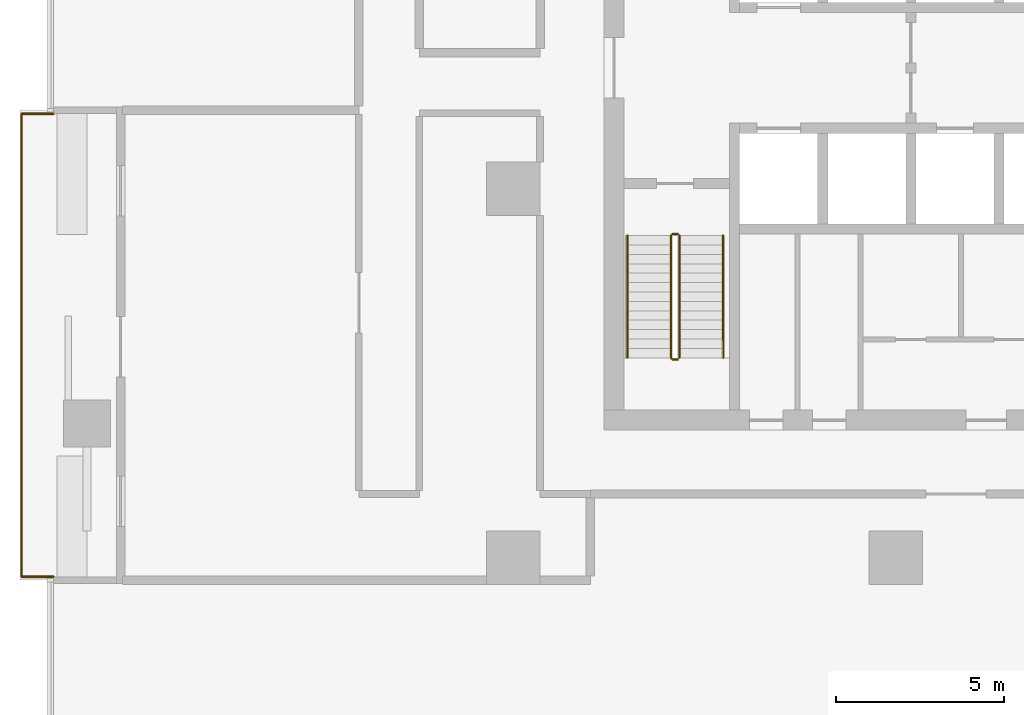
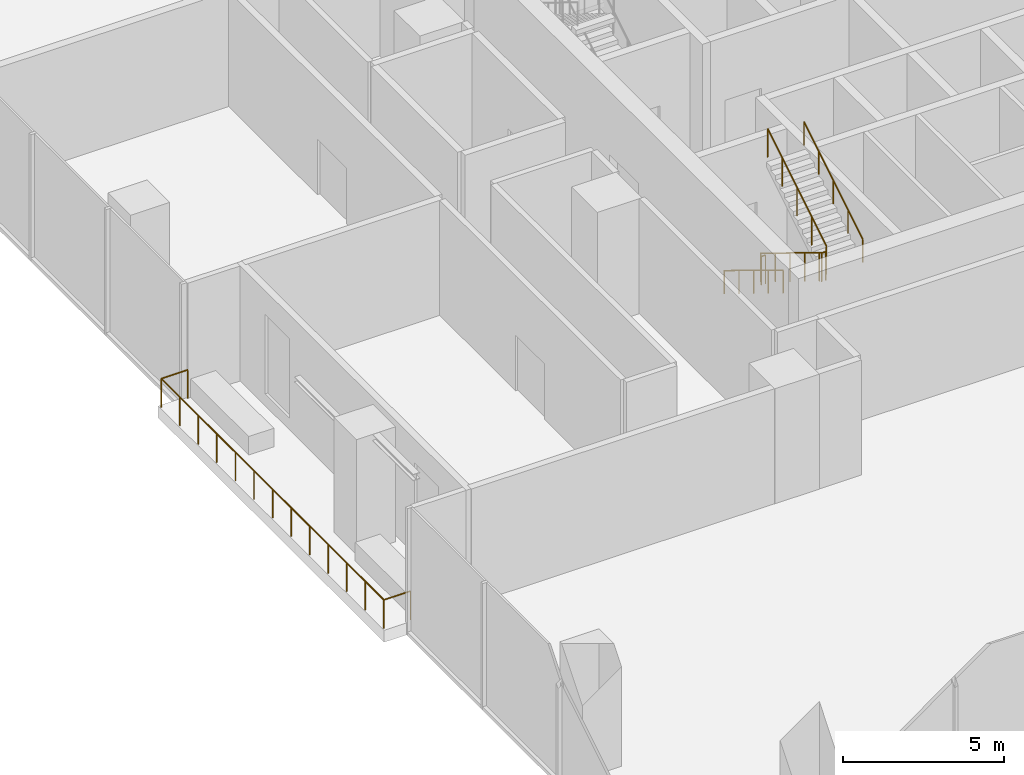
# One storey, part 12 of 14: 6 railings.
"""IFC4 building model written with IfcOpenShell, lengths in metres."""

from ifc_helpers import new_model, si_unit, direction, frame, origin, origin_2d, place, context, subcontext, project, spatial, circle, extrude, material, type_object, element, save


model = new_model("IFC4")

# Units and contexts
model_context = context("Model", 3, precision=1e-05, world=origin(), true_north=direction((0.0, 1.0)))
body_context = subcontext(model_context, "Body", "Model", "MODEL_VIEW")
ifc_project = project(units=[si_unit("LENGTHUNIT", "METRE"), si_unit("AREAUNIT", "SQUARE_METRE"), si_unit("VOLUMEUNIT", "CUBIC_METRE"), si_unit("PLANEANGLEUNIT", "RADIAN"), si_unit("MASSUNIT", "GRAM", prefix="KILO")], contexts=[model_context])

# Site, building, storey
site_placement = place(None, origin())
site = spatial("IfcSite", under=ifc_project, at=site_placement, CompositionType="ELEMENT")
building_placement = place(site_placement, origin())
building = spatial("IfcBuilding", under=site, at=building_placement, Name="Mopane Tessera Tower", CompositionType="ELEMENT")
storey_placement = place(building_placement, frame((0.0, 0.0, 40.60009765625)))
storey = spatial("IfcBuildingStorey", under=building, at=storey_placement, Name="L07", CompositionType="ELEMENT", Elevation=40.60009765625)

# Railings
ifc_material_1 = material(Name="Powder-coated steel balustrade", Category="steel")
railing_type_1 = type_object("IfcRailingType", Name="Escape stair guard 1100 mm", PredefinedType="GUARDRAIL", material=ifc_material_1)
railing_1_placement = place(storey_placement, frame((-12.39990234375, -1.39990234375, 0.17138671875)))
element("IfcRailing", 1, at=railing_1_placement, inside=storey, type_object=railing_type_1, Name="L07 ST1 stair guard 1", PredefinedType="GUARDRAIL", context=body_context, shape_type="SweptSolid", body=[
    extrude(circle(Radius=0.02392578125, at=origin_2d()), frame((0.0, 0.0, 1.076171875), z_axis=(0.0, -0.852865859571, 0.52213008492), x_axis=(1.0, 0.0, 0.0)), (0.0, 0.0, 1.0), 4.26806640625),
    extrude(circle(Radius=0.02392578125, at=origin_2d()), frame((0.0, -3.64013671875, 3.3046875), z_axis=(0.705375805398, -0.708833529934, 0.0), x_axis=(0.708833529934, 0.705375805398, 0.0)), (0.0, 0.0, 1.0), 0.070556640625),
    extrude(circle(Radius=0.02392578125, at=origin_2d()), frame((0.0498046875, -3.690185546875, 3.3046875), z_axis=(1.0, 0.0, 0.0), x_axis=(0.0, 1.0, 0.0)), (0.0, 0.0, 1.0), 0.150146484375),
    extrude(circle(Radius=0.02099609375, at=origin_2d()), origin(), (0.0, 0.0, 1.0), 1.052001953125),
    extrude(circle(Radius=0.02099609375, at=origin_2d()), frame((0.0, -0.91015625, 0.55712890625)), (0.0, 0.0, 1.0), 1.052001953125),
    extrude(circle(Radius=0.02099609375, at=origin_2d()), frame((0.0, -1.820068359375, 1.1142578125)), (0.0, 0.0, 1.0), 1.052001953125),
    extrude(circle(Radius=0.02099609375, at=origin_2d()), frame((0.0, -2.72998046875, 1.67138671875)), (0.0, 0.0, 1.0), 1.052001953125),
    extrude(circle(Radius=0.02099609375, at=origin_2d()), frame((0.0, -3.64013671875, 2.228515625)), (0.0, 0.0, 1.0), 1.052001953125),
    extrude(circle(Radius=0.02099609375, at=origin_2d()), frame((0.0498046875, -3.690185546875, 2.228515625)), (0.0, 0.0, 1.0), 1.052001953125),
    extrude(circle(Radius=0.02099609375, at=origin_2d()), frame((0.199951171875, -3.690185546875, 2.228515625)), (0.0, 0.0, 1.0), 1.052001953125),
])
railing_2_placement = place(storey_placement, frame((-12.14990234375, -5.0400390625, 2.5712890625)))
element("IfcRailing", 2, at=railing_2_placement, inside=storey, type_object=railing_type_1, Name="L07 ST1 stair guard 2", PredefinedType="GUARDRAIL", context=body_context, shape_type="SweptSolid", body=[
    extrude(circle(Radius=0.02392578125, at=origin_2d()), frame((0.0, 0.0, 1.076171875), z_axis=(0.0, 0.852865859571, 0.52213008492), x_axis=(-1.0, 0.0, 0.0)), (0.0, 0.0, 1.0), 4.26806640625),
    extrude(circle(Radius=0.02099609375, at=origin_2d()), origin(), (0.0, 0.0, 1.0), 1.052001953125),
    extrude(circle(Radius=0.02099609375, at=origin_2d()), frame((0.0, 0.91015625, 0.55712890625)), (0.0, 0.0, 1.0), 1.052001953125),
    extrude(circle(Radius=0.02099609375, at=origin_2d()), frame((0.0, 1.820068359375, 1.1142578125)), (0.0, 0.0, 1.0), 1.052001953125),
    extrude(circle(Radius=0.02099609375, at=origin_2d()), frame((0.0, 2.72998046875, 1.67138671875)), (0.0, 0.0, 1.0), 1.052001953125),
    extrude(circle(Radius=0.02099609375, at=origin_2d()), frame((0.0, 3.64013671875, 2.228515625)), (0.0, 0.0, 1.0), 1.052001953125),
])
railing_3_placement = place(storey_placement, frame((-12.35009765625, -1.35009765625, 0.0)))
element("IfcRailing", 3, at=railing_3_placement, inside=storey, type_object=railing_type_1, Name="L07 ST1 stair guard 3", PredefinedType="GUARDRAIL", context=body_context, shape_type="SweptSolid", body=[
    extrude(circle(Radius=0.02392578125, at=origin_2d()), frame((0.0, 0.0, 1.076171875), z_axis=(1.0, 0.0, 0.0), x_axis=(0.0, 1.0, 0.0)), (0.0, 0.0, 1.0), 0.150146484375),
    extrude(circle(Radius=0.02099609375, at=origin_2d()), origin(), (0.0, 0.0, 1.0), 1.052001953125),
    extrude(circle(Radius=0.02099609375, at=origin_2d()), frame((0.150146484375, 0.0, 0.0)), (0.0, 0.0, 1.0), 1.052001953125),
])
ifc_material_2 = material(Name="Powder-coated steel balustrade", Category="steel")
railing_type_2 = type_object("IfcRailingType", Name="Escape stair handrail 900 mm", PredefinedType="HANDRAIL", material=ifc_material_2)
railing_4_placement = place(storey_placement, frame((-13.699951171875, -1.39990234375, 0.17138671875)))
element("IfcRailing", 4, at=railing_4_placement, inside=storey, type_object=railing_type_2, Name="L07 ST1 stair handrail 1", PredefinedType="HANDRAIL", context=body_context, shape_type="SweptSolid", body=[
    extrude(circle(Radius=0.02392578125, at=origin_2d()), frame((0.0, 0.0, 0.8759765625), z_axis=(0.0, -0.852865859571, 0.52213008492), x_axis=(1.0, 0.0, 0.0)), (0.0, 0.0, 1.0), 4.26806640625),
    extrude(circle(Radius=0.02099609375, at=origin_2d()), origin(), (0.0, 0.0, 1.0), 0.851806640625),
    extrude(circle(Radius=0.02099609375, at=origin_2d()), frame((0.0, -0.91015625, 0.55712890625)), (0.0, 0.0, 1.0), 0.851806640625),
    extrude(circle(Radius=0.02099609375, at=origin_2d()), frame((0.0, -1.820068359375, 1.1142578125)), (0.0, 0.0, 1.0), 0.851806640625),
    extrude(circle(Radius=0.02099609375, at=origin_2d()), frame((0.0, -2.72998046875, 1.67138671875)), (0.0, 0.0, 1.0), 0.851806640625),
    extrude(circle(Radius=0.02099609375, at=origin_2d()), frame((0.0, -3.64013671875, 2.228515625)), (0.0, 0.0, 1.0), 0.851806640625),
])
railing_5_placement = place(storey_placement, frame((-10.85009765625, -5.0400390625, 2.5712890625)))
element("IfcRailing", 5, at=railing_5_placement, inside=storey, type_object=railing_type_2, Name="L07 ST1 stair handrail 2", PredefinedType="HANDRAIL", context=body_context, shape_type="SweptSolid", body=[
    extrude(circle(Radius=0.02392578125, at=origin_2d()), frame((0.0, 0.0, 0.8759765625), z_axis=(0.0, 0.852865859571, 0.52213008492), x_axis=(-1.0, 0.0, 0.0)), (0.0, 0.0, 1.0), 4.26806640625),
    extrude(circle(Radius=0.02099609375, at=origin_2d()), origin(), (0.0, 0.0, 1.0), 0.851806640625),
    extrude(circle(Radius=0.02099609375, at=origin_2d()), frame((0.0, 0.91015625, 0.55712890625)), (0.0, 0.0, 1.0), 0.851806640625),
    extrude(circle(Radius=0.02099609375, at=origin_2d()), frame((0.0, 1.820068359375, 1.1142578125)), (0.0, 0.0, 1.0), 0.851806640625),
    extrude(circle(Radius=0.02099609375, at=origin_2d()), frame((0.0, 2.72998046875, 1.67138671875)), (0.0, 0.0, 1.0), 0.851806640625),
    extrude(circle(Radius=0.02099609375, at=origin_2d()), frame((0.0, 3.64013671875, 2.228515625)), (0.0, 0.0, 1.0), 0.851806640625),
])
ifc_material_3 = material(Name="Stainless steel S316", Category="steel")
railing_type_3 = type_object("IfcRailingType", Name="Terrace guard 1100", PredefinedType="GUARDRAIL", material=ifc_material_3)
railing_6_placement = place(storey_placement, frame((-30.800048828125, 2.2333984375, 0.0)))
element("IfcRailing", 6, at=railing_6_placement, inside=storey, type_object=railing_type_3, Name="e:nw:L07:N3:guard", PredefinedType="GUARDRAIL", context=body_context, shape_type="SweptSolid", body=[
    extrude(circle(Radius=0.02392578125, at=origin_2d()), frame((0.0, 0.0, 1.076171875), z_axis=(-1.0, 0.0, 0.0), x_axis=(0.0, -1.0, 0.0)), (0.0, 0.0, 1.0), 0.949951171875),
    extrude(circle(Radius=0.02392578125, at=origin_2d()), frame((-0.949951171875, 0.0, 1.076171875), z_axis=(0.0, -1.0, 0.0), x_axis=(1.0, 0.0, 0.0)), (0.0, 0.0, 1.0), 13.800048828125),
    extrude(circle(Radius=0.02392578125, at=origin_2d()), frame((-0.949951171875, -13.800048828125, 1.076171875), z_axis=(1.0, 0.0, 0.0), x_axis=(0.0, 1.0, 0.0)), (0.0, 0.0, 1.0), 0.949951171875),
    extrude(circle(Radius=0.02099609375, at=origin_2d()), origin(), (0.0, 0.0, 1.0), 1.052001953125),
    extrude(circle(Radius=0.02099609375, at=origin_2d()), frame((-0.949951171875, 0.0, 0.0)), (0.0, 0.0, 1.0), 1.052001953125),
    extrude(circle(Radius=0.02099609375, at=origin_2d()), frame((-0.949951171875, -1.14990234375, 0.0)), (0.0, 0.0, 1.0), 1.052001953125),
    extrude(circle(Radius=0.02099609375, at=origin_2d()), frame((-0.949951171875, -2.300048828125, 0.0)), (0.0, 0.0, 1.0), 1.052001953125),
    extrude(circle(Radius=0.02099609375, at=origin_2d()), frame((-0.949951171875, -3.449951171875, 0.0)), (0.0, 0.0, 1.0), 1.052001953125),
    extrude(circle(Radius=0.02099609375, at=origin_2d()), frame((-0.949951171875, -4.60009765625, 0.0)), (0.0, 0.0, 1.0), 1.052001953125),
    extrude(circle(Radius=0.02099609375, at=origin_2d()), frame((-0.949951171875, -5.75, 0.0)), (0.0, 0.0, 1.0), 1.052001953125),
    extrude(circle(Radius=0.02099609375, at=origin_2d()), frame((-0.949951171875, -6.89990234375, 0.0)), (0.0, 0.0, 1.0), 1.052001953125),
    extrude(circle(Radius=0.02099609375, at=origin_2d()), frame((-0.949951171875, -8.050048828125, 0.0)), (0.0, 0.0, 1.0), 1.052001953125),
    extrude(circle(Radius=0.02099609375, at=origin_2d()), frame((-0.949951171875, -9.199951171875, 0.0)), (0.0, 0.0, 1.0), 1.052001953125),
    extrude(circle(Radius=0.02099609375, at=origin_2d()), frame((-0.949951171875, -10.35009765625, 0.0)), (0.0, 0.0, 1.0), 1.052001953125),
    extrude(circle(Radius=0.02099609375, at=origin_2d()), frame((-0.949951171875, -11.5, 0.0)), (0.0, 0.0, 1.0), 1.052001953125),
    extrude(circle(Radius=0.02099609375, at=origin_2d()), frame((-0.949951171875, -12.650146484375, 0.0)), (0.0, 0.0, 1.0), 1.052001953125),
    extrude(circle(Radius=0.02099609375, at=origin_2d()), frame((-0.949951171875, -13.800048828125, 0.0)), (0.0, 0.0, 1.0), 1.052001953125),
    extrude(circle(Radius=0.02099609375, at=origin_2d()), frame((0.0, -13.800048828125, 0.0)), (0.0, 0.0, 1.0), 1.052001953125),
])

save(model, "model.ifc")
